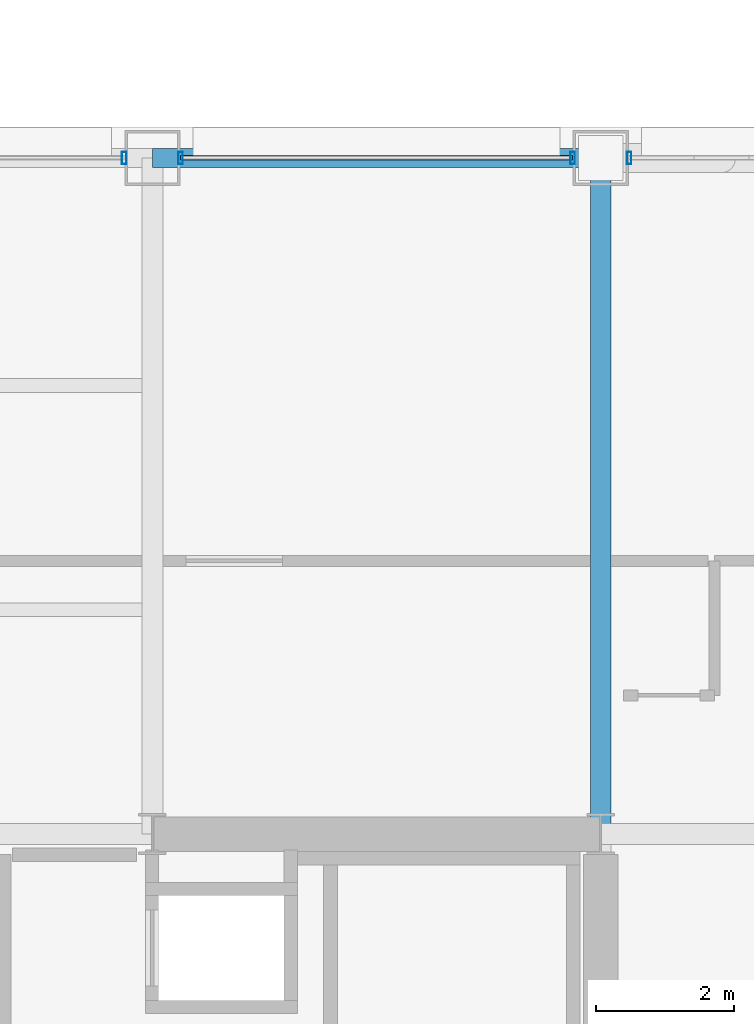
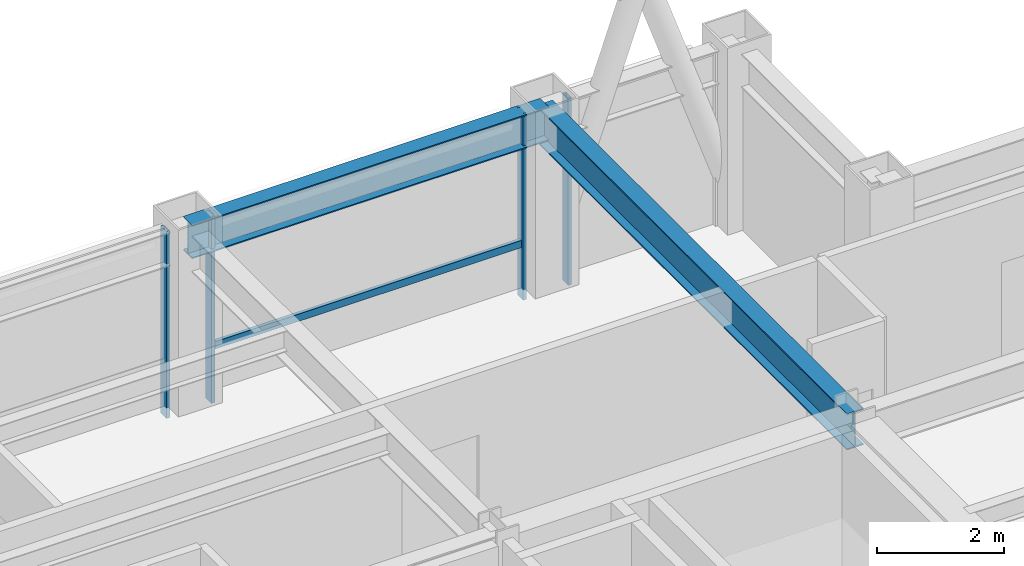
# One storey, part 23 of 33: 5 members, 2 beams, 3 elements without a shape of their own.
"""IFC4 building model written with IfcOpenShell, lengths in metres."""

from ifc_helpers import new_model, si_unit, direction, frame, origin, origin_2d, place, context, subcontext, project, spatial, hollow_rectangle, i_section, extrude, material, layer, layer_set, material_profile, profile_set, type_object, element, aggregate, save


model = new_model("IFC4")

# Units and contexts
model_context = context("Model", 3, precision=1e-05, world=origin(), true_north=direction((0.0, 1.0)))
body_context = subcontext(model_context, "Body", "Model", "MODEL_VIEW")
ifc_project = project(units=[si_unit("LENGTHUNIT", "METRE"), si_unit("AREAUNIT", "SQUARE_METRE"), si_unit("VOLUMEUNIT", "CUBIC_METRE"), si_unit("PLANEANGLEUNIT", "RADIAN"), si_unit("MASSUNIT", "GRAM", prefix="KILO")], contexts=[model_context])

# Site, building, storey
site_placement = place(None, origin())
site = spatial("IfcSite", under=ifc_project, at=site_placement, CompositionType="ELEMENT")
building_placement = place(site_placement, origin())
building = spatial("IfcBuilding", under=site, at=building_placement, Name="Brelmoor Portico Tower", CompositionType="ELEMENT")
storey_placement = place(building_placement, frame((0.0, 0.0, 120.60009765625)))
storey = spatial("IfcBuildingStorey", under=building, at=storey_placement, Name="L31", CompositionType="ELEMENT", Elevation=120.60009765625)

# Beams
ifc_material_1 = material(Name="Steel Q355B", Category="steel")
ifc_material_profile_1 = material_profile(ifc_material_1, i_section(OverallWidth=0.300048828125, OverallDepth=0.699951171875, WebThickness=0.012939453125, FlangeThickness=0.02392578125, at=origin_2d()), Name="HN 700x300x13x24")
ifc_profile_set_1 = profile_set([ifc_material_profile_1], Name="Steel Q355B")
beam_type_1 = type_object("IfcBeamType", Name="BM-PG-700", PredefinedType="BEAM", material=ifc_profile_set_1)
beam_1_placement = place(storey_placement, frame((14.550048828125, 9.75, 3.0498046875), z_axis=(0.0, 1.0, 0.0), x_axis=(-1.0, 0.0, 0.0)))
element("IfcBeam", 1, at=beam_1_placement, inside=storey, type_object=beam_type_1, Name="L31 Primary Floor Girder PG-13", PredefinedType="BEAM", context=body_context, shape_type="SweptSolid", body=[
    extrude(i_section(OverallWidth=0.300048828125, OverallDepth=0.699951171875, WebThickness=0.012939453125, FlangeThickness=0.02392578125, at=origin_2d()), origin(), (0.0, 0.0, 1.0), 9.800048828125),
])
ifc_material_profile_2 = material_profile(ifc_material_1, i_section(OverallWidth=0.280029296875, OverallDepth=0.64990234375, WebThickness=0.012939453125, FlangeThickness=0.02197265625, at=origin_2d()), Name="HN 650x280x13x22")
ifc_profile_set_2 = profile_set([ifc_material_profile_2], Name="Steel Q355B")
beam_type_2 = type_object("IfcBeamType", Name="BM-SP-650", PredefinedType="SPANDREL", material=ifc_profile_set_2)
beam_2_placement = place(storey_placement, frame((8.050048828125, 19.550048828125, 3.074951171875), z_axis=(1.0, 0.0, 0.0), x_axis=(0.0, 1.0, 0.0)))
element("IfcBeam", 2, at=beam_2_placement, inside=storey, type_object=beam_type_2, Name="L31 Perimeter Spandrel Beam SP-13", PredefinedType="SPANDREL", context=body_context, shape_type="SweptSolid", body=[
    extrude(i_section(OverallWidth=0.280029296875, OverallDepth=0.64990234375, WebThickness=0.012939453125, FlangeThickness=0.02197265625, at=origin_2d()), origin(), (0.0, 0.0, 1.0), 6.5),
])

# Curtain wall, member
ifc_material_2 = material(Name="Anodised Aluminium Alloy 6063-T6", Category="aluminium")
ifc_layer_1 = layer(ifc_material_2, 0.179931640625)
ifc_layer_set_1 = layer_set([ifc_layer_1], Name="Anodised Aluminium Alloy 6063-T6")
curtain_wall_type_1 = type_object("IfcCurtainWallType", Name="CW-TOWER-Z2", PredefinedType="NOTDEFINED", material=ifc_layer_set_1)
curtain_wall_1_placement = place(storey_placement, origin())
curtain_wall_1 = element("IfcCurtainWall", 3, at=curtain_wall_1_placement, inside=storey, type_object=curtain_wall_type_1, Name="L31 Curtain Wall CW-L31-2R-1", PredefinedType="NOTDEFINED")
ifc_material_profile_3 = material_profile(ifc_material_2, hollow_rectangle(XDim=0.06494140625, YDim=0.179931640625, WallThickness=0.00390625, at=origin_2d()), Name="ALU MULLION 65x180")
ifc_profile_set_3 = profile_set([ifc_material_profile_3], Name="Anodised Aluminium Alloy 6063-T6")
member_type_1 = type_object("IfcMemberType", Name="MB-CW-MULL-180", PredefinedType="MULLION", material=ifc_profile_set_3)
member_1_placement = place(storey_placement, frame((7.639892578125, 19.550048828125, -0.2001953125), z_axis=(0.0, 0.0, 1.0), x_axis=(1.0, 0.0, 0.0)))
member_1 = element("IfcMember", 4, at=member_1_placement, type_object=member_type_1, Name="CW-L31-2R-1 Mullion 01", PredefinedType="MULLION", context=body_context, shape_type="SweptSolid", body=[
    extrude(hollow_rectangle(XDim=0.06494140625, YDim=0.179931640625, WallThickness=0.00390625, at=origin_2d()), origin(), (0.0, 0.0, 1.0), 3.60009765625),
])
aggregate(curtain_wall_1, [member_1])

# Curtain wall, members
curtain_wall_2_placement = place(storey_placement, origin())
curtain_wall_2 = element("IfcCurtainWall", 5, at=curtain_wall_2_placement, inside=storey, type_object=curtain_wall_type_1, Name="L31 Curtain Wall CW-L31-2R-2", PredefinedType="NOTDEFINED")
member_2_placement = place(storey_placement, frame((8.4599609375, 19.550048828125, -0.2001953125), z_axis=(0.0, 0.0, 1.0), x_axis=(1.0, 0.0, 0.0)))
member_2 = element("IfcMember", 6, at=member_2_placement, type_object=member_type_1, Name="CW-L31-2R-2 Mullion 00", PredefinedType="MULLION", context=body_context, shape_type="SweptSolid", body=[
    extrude(hollow_rectangle(XDim=0.06494140625, YDim=0.179931640625, WallThickness=0.00390625, at=origin_2d()), origin(), (0.0, 0.0, 1.0), 3.60009765625),
])
member_3_placement = place(storey_placement, frame((14.139892578125, 19.550048828125, -0.2001953125), z_axis=(0.0, 0.0, 1.0), x_axis=(1.0, 0.0, 0.0)))
member_3 = element("IfcMember", 7, at=member_3_placement, type_object=member_type_1, Name="CW-L31-2R-2 Mullion 01", PredefinedType="MULLION", context=body_context, shape_type="SweptSolid", body=[
    extrude(hollow_rectangle(XDim=0.06494140625, YDim=0.179931640625, WallThickness=0.00390625, at=origin_2d()), origin(), (0.0, 0.0, 1.0), 3.60009765625),
])

# Curtain wall, member
ifc_layer_2 = layer(ifc_material_2, 0.179931640625)
ifc_layer_set_2 = layer_set([ifc_layer_2], Name="Anodised Aluminium Alloy 6063-T6")
curtain_wall_type_2 = type_object("IfcCurtainWallType", Name="CW-TOWER-Z2-XB", PredefinedType="NOTDEFINED", material=ifc_layer_set_2)
curtain_wall_3_placement = place(storey_placement, origin())
curtain_wall_3 = element("IfcCurtainWall", 8, at=curtain_wall_3_placement, inside=storey, type_object=curtain_wall_type_2, Name="L31 Curtain Wall CW-L31-2R-3", PredefinedType="NOTDEFINED")
member_4_placement = place(storey_placement, frame((14.9599609375, 19.550048828125, -0.2001953125), z_axis=(0.0, 0.0, 1.0), x_axis=(1.0, 0.0, 0.0)))
member_4 = element("IfcMember", 9, at=member_4_placement, type_object=member_type_1, Name="CW-L31-2R-3 Mullion 00", PredefinedType="MULLION", context=body_context, shape_type="SweptSolid", body=[
    extrude(hollow_rectangle(XDim=0.06494140625, YDim=0.179931640625, WallThickness=0.00390625, at=origin_2d()), origin(), (0.0, 0.0, 1.0), 3.60009765625),
])
aggregate(curtain_wall_3, [member_4])

# Member
ifc_material_profile_4 = material_profile(ifc_material_2, hollow_rectangle(XDim=0.06494140625, YDim=0.139892578125, WallThickness=0.00390625, at=origin_2d()), Name="ALU TRANSOM 65x140")
ifc_profile_set_4 = profile_set([ifc_material_profile_4], Name="Anodised Aluminium Alloy 6063-T6")
member_type_2 = type_object("IfcMemberType", Name="MB-CW-TRAN-140", PredefinedType="USERDEFINED", material=ifc_profile_set_4)
member_5_placement = place(storey_placement, frame((8.4599609375, 19.550048828125, 0.849853515625), z_axis=(1.0, 0.0, 0.0), x_axis=(0.0, 1.0, 0.0)))
member_5 = element("IfcMember", 10, at=member_5_placement, type_object=member_type_2, Name="CW-L31-2R-2 Transom 1-00", ObjectType="TRANSOM", PredefinedType="USERDEFINED", context=body_context, shape_type="SweptSolid", body=[
    extrude(hollow_rectangle(XDim=0.06494140625, YDim=0.139892578125, WallThickness=0.00390625, at=origin_2d()), origin(), (0.0, 0.0, 1.0), 5.679931640625),
])

aggregate(curtain_wall_2, [member_2, member_3, member_5])

save(model, "model.ifc")
